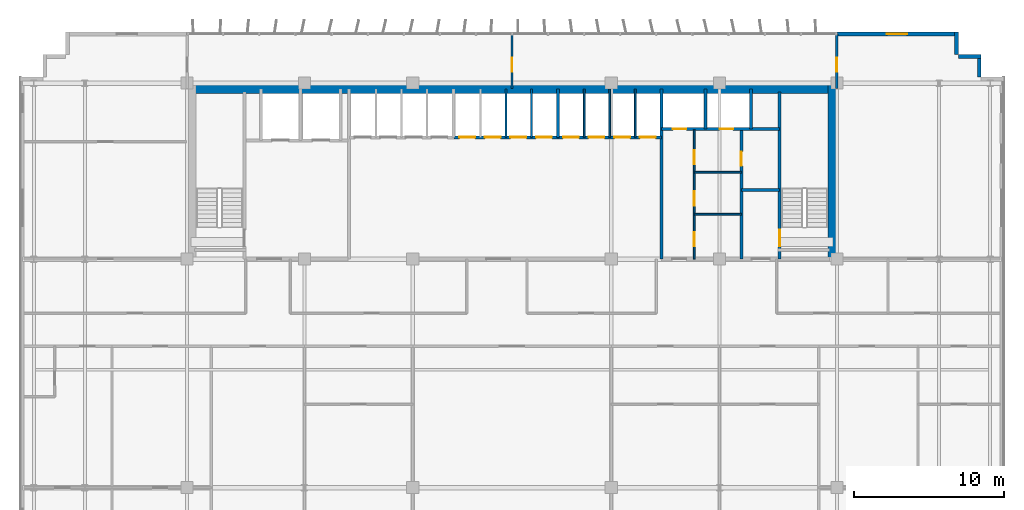
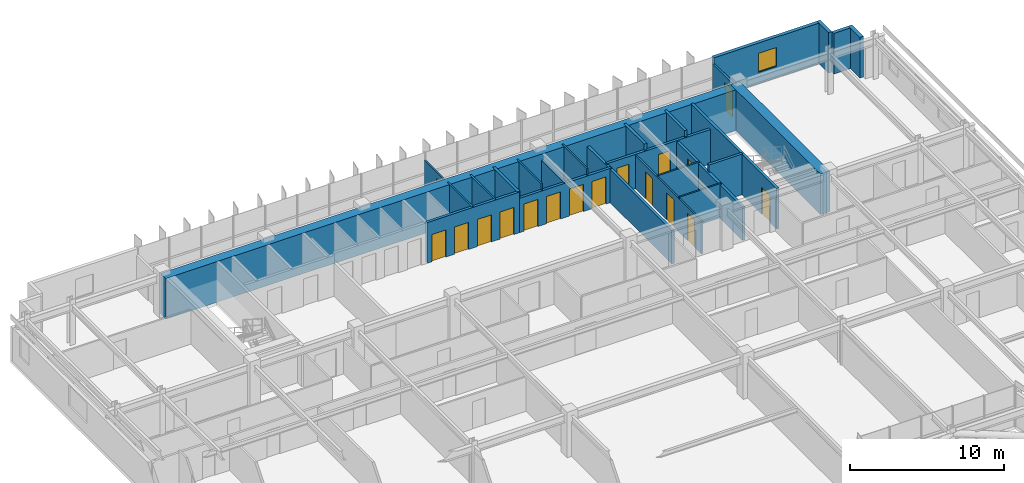
# One storey, part 22 of 26: 26 walls, 17 doors, 1 window, 18 openings.
"""IFC4 building model written with IfcOpenShell, lengths in metres."""

from ifc_helpers import new_model, si_unit, direction, frame, frame_2d, origin, place, context, subcontext, project, spatial, rectangle, extrude, source, transform, mapped, material, layer, layer_set, type_object, element, fill, save


model = new_model("IFC4")

# Units and contexts
model_context = context("Model", 3, precision=1e-05, world=origin(), true_north=direction((0.0, 1.0)))
body_context = subcontext(model_context, "Body", "Model", "MODEL_VIEW")
ifc_project = project(units=[si_unit("LENGTHUNIT", "METRE"), si_unit("AREAUNIT", "SQUARE_METRE"), si_unit("VOLUMEUNIT", "CUBIC_METRE"), si_unit("PLANEANGLEUNIT", "RADIAN"), si_unit("MASSUNIT", "GRAM", prefix="KILO")], contexts=[model_context])

# Site, building, storey
site_placement = place(None, origin())
site = spatial("IfcSite", under=ifc_project, at=site_placement, CompositionType="ELEMENT")
building_placement = place(site_placement, origin())
building = spatial("IfcBuilding", under=site, at=building_placement, Name="Trelvane Seafront Commons", CompositionType="ELEMENT")
storey_placement = place(building_placement, frame((0.0, 0.0, 128.5)))
storey = spatial("IfcBuildingStorey", under=building, at=storey_placement, Name="L33", CompositionType="ELEMENT", Elevation=128.5)

# Wall, opening, window
ifc_material_1 = material(Name="Precast concrete C40/50", Category="concrete")
ifc_layer_1 = layer(ifc_material_1, 0.260009765625, Name="ARCH-WALL-EXT260")
ifc_layer_set_1 = layer_set([ifc_layer_1], Name="Precast concrete C40/50")
wall_type_1 = type_object("IfcWallType", Name="ARCH-WALL-EXT260", PredefinedType="SOLIDWALL", material=ifc_layer_set_1)
wall_1_placement = place(storey_placement, frame((58.800048828125, 48.3701171875, 0.0), z_axis=(0.0, 0.0, 1.0), x_axis=(1.0, 0.0, 0.0)))
wall_1 = element("IfcWall", 1, at=wall_1_placement, inside=storey, type_object=wall_type_1, Name="EW-L33-NE-0630", PredefinedType="SOLIDWALL", context=body_context, shape_type="SweptSolid", body=[
    extrude(rectangle(XDim=8.0, YDim=0.260009765625, at=frame_2d((4.0, 0.0))), origin(), (0.0, 0.0, 1.0), 3.219970703125),
])
opening_1_placement = place(wall_1_placement, frame((3.324951171875, 0.0, 0.89990234375)))
opening_1 = element("IfcOpeningElement", 2, at=opening_1_placement, cuts=wall_1, Name="Opening W09", PredefinedType="OPENING", context=body_context, shape_type="SweptSolid", body=[
    extrude(rectangle(XDim=1.35009765625, YDim=1.5, at=frame_2d((0.675048828125, 0.75))), frame((0.0, 0.139892578125, 0.0), z_axis=(0.0, -1.0, 0.0), x_axis=(1.0, 0.0, 0.0)), (0.0, 0.0, 1.0), 0.280029296875),
])
ifc_material_2 = material(Name="Low-E coastal double glazing", Category="glass")
window_type = type_object("IfcWindowType", Name="ARCH-WIN-W09", PartitioningType="SINGLE_PANEL", PredefinedType="WINDOW", material=ifc_material_2)
shared_shape_1 = source(origin(), body_context, "Body", "SweptSolid", [
    extrude(rectangle(XDim=1.35009765625, YDim=1.5, at=frame_2d((0.675048828125, 0.75))), frame((0.0, 0.030029296875, 0.0), z_axis=(0.0, -1.0, 0.0), x_axis=(1.0, 0.0, 0.0)), (0.0, 0.0, 1.0), 0.06005859375),
])
window_placement = place(opening_1_placement, origin())
window = element("IfcWindow", 3, at=window_placement, inside=storey, type_object=window_type, Name="WIN-L33-00740", OverallHeight=1.5, OverallWidth=1.35009765625, PartitioningType="SINGLE_PANEL", PredefinedType="WINDOW", context=body_context, shape_type="MappedRepresentation", body=[
    mapped(shared_shape_1, transform((0.0, 0.0, 0.0), x_axis=(1.0, 0.0, 0.0), y_axis=(0.0, 1.0, 0.0), z_axis=(0.0, 0.0, 1.0), scale=1.0)),
])
fill(opening_1, window)

# Walls
for number, where, z_axis, x_axis, name in (
    (4, (66.77001953125, 48.5, 0.0), (0.0, 0.0, 1.0), (0.0, -1.0, 0.0), "EW-L33-00639"),
    (5, (66.89990234375, 46.8701171875, 0.0), (0.0, 0.0, 1.0), (1.0, 0.0, 0.0), "EW-L33-00640"),
    (6, (68.27001953125, 47.0, 0.0), (0.0, 0.0, 1.0), (0.0, -1.0, 0.0), "EW-L33-00641"),
):
    element("IfcWall", number, at=place(storey_placement, frame(where, z_axis=z_axis, x_axis=x_axis)), inside=storey, type_object=wall_type_1, Name=name, PredefinedType="SOLIDWALL", context=body_context, shape_type="SweptSolid", body=[
        extrude(rectangle(XDim=1.5, YDim=0.260009765625, at=frame_2d((0.75, 0.0))), origin(), (0.0, 0.0, 1.0), 3.219970703125),
    ])

# Wall, opening, door
ifc_material_3 = material(Name="Concrete C40/50", Category="concrete")
ifc_layer_2 = layer(ifc_material_3, 0.199951171875, Name="ARCH-WALL-FIRE200")
ifc_layer_set_2 = layer_set([ifc_layer_2], Name="Concrete C40/50")
wall_type_2 = type_object("IfcWallType", Name="ARCH-WALL-FIRE200", PredefinedType="PARTITIONING", material=ifc_layer_set_2)
wall_2_placement = place(storey_placement, frame((52.449951171875, 33.39990234375, 0.0), z_axis=(0.0, 0.0, 1.0), x_axis=(0.0, 1.0, 0.0)))
wall_2 = element("IfcWall", 7, at=wall_2_placement, inside=storey, type_object=wall_type_2, Name="W-L33-ST2V-W-033", PredefinedType="PARTITIONING", context=body_context, shape_type="SweptSolid", body=[
    extrude(rectangle(XDim=8.650146484375, YDim=0.199951171875, at=frame_2d((4.3251953125, 0.0))), origin(), (0.0, 0.0, 1.0), 2.632080078125),
])
opening_2_placement = place(wall_2_placement, frame((6.199951171875, 0.0, 0.0)))
opening_2 = element("IfcOpeningElement", 8, at=opening_2_placement, cuts=wall_2, Name="Opening FD-L33-21", PredefinedType="OPENING", context=body_context, shape_type="SweptSolid", body=[
    extrude(rectangle(XDim=0.949951171875, YDim=2.14990234375, at=frame_2d((0.47509765625, 1.074951171875))), frame((0.0, 0.10986328125, 0.0), z_axis=(0.0, -1.0, 0.0), x_axis=(1.0, 0.0, 0.0)), (0.0, 0.0, 1.0), 0.219970703125),
])
ifc_material_4 = material(Name="Powder-coated aluminium frame", Category="aluminium")
door_type_1 = type_object("IfcDoorType", Name="ARCH-DR-FD60-950", OperationType="NOTDEFINED", PredefinedType="DOOR", material=ifc_material_4)
shared_shape_2 = source(origin(), body_context, "Body", "SweptSolid", [
    extrude(rectangle(XDim=0.949951171875, YDim=2.14990234375, at=frame_2d((0.47509765625, 1.074951171875))), frame((0.0, 0.02490234375, 0.0), z_axis=(0.0, -1.0, 0.0), x_axis=(1.0, 0.0, 0.0)), (0.0, 0.0, 1.0), 0.050048828125),
])
door_1_placement = place(opening_2_placement, origin())
door_1 = element("IfcDoor", 9, at=door_1_placement, inside=storey, type_object=door_type_1, Name="L33 Cleaner Store Door", OperationType="SINGLE_SWING_LEFT", OverallHeight=2.14990234375, OverallWidth=0.949951171875, PredefinedType="DOOR", context=body_context, shape_type="MappedRepresentation", body=[
    mapped(shared_shape_2, transform((0.0, 0.0, 0.0), x_axis=(1.0, 0.0, 0.0), y_axis=(0.0, 1.0, 0.0), z_axis=(0.0, 0.0, 1.0), scale=1.0)),
])
fill(opening_2, door_1)

# Walls
wall_3_placement = place(storey_placement, frame((52.449951171875, 38.0, 0.0), z_axis=(0.0, 0.0, 1.0), x_axis=(1.0, 0.0, 0.0)))
element("IfcWall", 10, at=wall_3_placement, inside=storey, type_object=wall_type_2, Name="W-L33-ST2V-N-034", PredefinedType="PARTITIONING", context=body_context, shape_type="SweptSolid", body=[
    extrude(rectangle(XDim=2.550048828125, YDim=0.199951171875, at=frame_2d((1.27490234375, 0.0))), origin(), (0.0, 0.0, 1.0), 3.219970703125),
])
ifc_material_5 = material(Name="Gypsum Drywall Acoustic Partition")
ifc_layer_3 = layer(ifc_material_5, 0.1201171875, Name="ARCH-WALL-PART120")
ifc_layer_set_3 = layer_set([ifc_layer_3], Name="Gypsum Drywall Acoustic Partition")
wall_type_3 = type_object("IfcWallType", Name="ARCH-WALL-PART120", PredefinedType="PARTITIONING", material=ifc_layer_set_3)
for number, where, z_axis, x_axis, name in (
    (11, (36.800048828125, 41.5, 0.0), (0.0, 0.0, 1.0), (0.0, 1.0, 0.0), "W-L33-PM-DIV2-021"),
    (12, (38.5, 41.5, 0.0), (0.0, 0.0, 1.0), (0.0, 1.0, 0.0), "W-L33-PM-DIV3-022"),
    (13, (42.0, 41.5, 0.0), (0.0, 0.0, 1.0), (0.0, 1.0, 0.0), "W-L33-PH-DIV1-025"),
):
    element("IfcWall", number, at=place(storey_placement, frame(where, z_axis=z_axis, x_axis=x_axis)), inside=storey, type_object=wall_type_3, Name=name, PredefinedType="PARTITIONING", context=body_context, shape_type="SweptSolid", body=[
        extrude(rectangle(XDim=3.199951171875, YDim=0.1201171875, at=frame_2d((1.60009765625, 0.0))), origin(), (0.0, 0.0, 1.0), 3.219970703125),
    ])
wall_4_placement = place(storey_placement, frame((43.699951171875, 41.5, 0.0), z_axis=(0.0, 0.0, 1.0), x_axis=(0.0, 1.0, 0.0)))
element("IfcWall", 14, at=wall_4_placement, inside=storey, type_object=wall_type_3, Name="W-L33-PH-DIV2-026", PredefinedType="PARTITIONING", context=body_context, shape_type="SweptSolid", body=[
    extrude(rectangle(XDim=3.199951171875, YDim=0.1201171875, at=frame_2d((1.60009765625, 0.0))), origin(), (0.0, 0.0, 1.0), 2.719970703125),
])
wall_5_placement = place(storey_placement, frame((45.39990234375, 41.5, 0.0), z_axis=(0.0, 0.0, 1.0), x_axis=(0.0, 1.0, 0.0)))
element("IfcWall", 15, at=wall_5_placement, inside=storey, type_object=wall_type_3, Name="W-L33-PH-DIV3-027", PredefinedType="PARTITIONING", context=body_context, shape_type="SweptSolid", body=[
    extrude(rectangle(XDim=3.199951171875, YDim=0.1201171875, at=frame_2d((1.60009765625, 0.0))), origin(), (0.0, 0.0, 1.0), 3.219970703125),
])

# Wall, openings, doors
wall_6_placement = place(storey_placement, frame((49.320068359375, 33.39990234375, 0.0), z_axis=(0.0, 0.0, 1.0), x_axis=(0.0, 1.0, 0.0)))
wall_6 = element("IfcWall", 16, at=wall_6_placement, inside=storey, type_object=wall_type_3, Name="W-L33-CYC3-V-035", PredefinedType="PARTITIONING", context=body_context, shape_type="SweptSolid", body=[
    extrude(rectangle(XDim=8.60009765625, YDim=0.1201171875, at=frame_2d((4.300048828125, 0.0))), origin(), (0.0, 0.0, 1.0), 2.632080078125),
])
opening_3_placement = place(wall_6_placement, frame((0.85009765625, 0.0, 0.0)))
opening_3 = element("IfcOpeningElement", 17, at=opening_3_placement, cuts=wall_6, Name="Opening D-L33-22", PredefinedType="OPENING", context=body_context, shape_type="SweptSolid", body=[
    extrude(rectangle(XDim=0.949951171875, YDim=2.14990234375, at=frame_2d((0.47509765625, 1.074951171875))), frame((0.0, 0.070068359375, 0.0), z_axis=(0.0, -1.0, 0.0), x_axis=(1.0, 0.0, 0.0)), (0.0, 0.0, 1.0), 0.14013671875),
])
opening_4_placement = place(wall_6_placement, frame((3.550048828125, 0.0, 0.0)))
opening_4 = element("IfcOpeningElement", 18, at=opening_4_placement, cuts=wall_6, Name="Opening D-L33-23", PredefinedType="OPENING", context=body_context, shape_type="SweptSolid", body=[
    extrude(rectangle(XDim=0.949951171875, YDim=2.14990234375, at=frame_2d((0.47509765625, 1.074951171875))), frame((0.0, 0.070068359375, 0.0), z_axis=(0.0, -1.0, 0.0), x_axis=(1.0, 0.0, 0.0)), (0.0, 0.0, 1.0), 0.14013671875),
])
opening_5_placement = place(wall_6_placement, frame((6.300048828125, 0.0, 0.0)))
opening_5 = element("IfcOpeningElement", 19, at=opening_5_placement, cuts=wall_6, Name="Opening D-L33-24", PredefinedType="OPENING", context=body_context, shape_type="SweptSolid", body=[
    extrude(rectangle(XDim=0.949951171875, YDim=2.14990234375, at=frame_2d((0.47509765625, 1.074951171875))), frame((0.0, 0.070068359375, 0.0), z_axis=(0.0, -1.0, 0.0), x_axis=(1.0, 0.0, 0.0)), (0.0, 0.0, 1.0), 0.14013671875),
])
ifc_material_6 = material(Name="Acoustic timber door leaf", Category="wood")
door_type_2 = type_object("IfcDoorType", Name="ARCH-DR-INT950", OperationType="NOTDEFINED", PredefinedType="DOOR", material=ifc_material_6)
door_2_placement = place(opening_3_placement, origin())
door_2 = element("IfcDoor", 20, at=door_2_placement, inside=storey, type_object=door_type_2, Name="L33 Accessible WC Door", OperationType="SINGLE_SWING_RIGHT", OverallHeight=2.14990234375, OverallWidth=0.949951171875, PredefinedType="DOOR", context=body_context, shape_type="MappedRepresentation", body=[
    mapped(shared_shape_2, transform((0.0, 0.0, 0.0), x_axis=(1.0, 0.0, 0.0), y_axis=(0.0, 1.0, 0.0), z_axis=(0.0, 0.0, 1.0), scale=1.0)),
])
fill(opening_3, door_2)
door_3_placement = place(opening_4_placement, origin())
door_3 = element("IfcDoor", 21, at=door_3_placement, inside=storey, type_object=door_type_2, Name="L33 Staff WC Door", OperationType="SINGLE_SWING_LEFT", OverallHeight=2.14990234375, OverallWidth=0.949951171875, PredefinedType="DOOR", context=body_context, shape_type="MappedRepresentation", body=[
    mapped(shared_shape_2, transform((0.0, 0.0, 0.0), x_axis=(1.0, 0.0, 0.0), y_axis=(0.0, 1.0, 0.0), z_axis=(0.0, 0.0, 1.0), scale=1.0)),
])
fill(opening_4, door_3)
door_4_placement = place(opening_5_placement, origin())
door_4 = element("IfcDoor", 22, at=door_4_placement, inside=storey, type_object=door_type_2, Name="L33 Electrical Room Door", OperationType="SINGLE_SWING_RIGHT", OverallHeight=2.14990234375, OverallWidth=0.949951171875, PredefinedType="DOOR", context=body_context, shape_type="MappedRepresentation", body=[
    mapped(shared_shape_2, transform((0.0, 0.0, 0.0), x_axis=(1.0, 0.0, 0.0), y_axis=(0.0, 1.0, 0.0), z_axis=(0.0, 0.0, 1.0), scale=1.0)),
])
fill(opening_5, door_4)

# Walls
for number, where, z_axis, x_axis, name in (
    (23, (49.320068359375, 36.3798828125, 0.0), (0.0, 0.0, 1.0), (1.0, 0.0, 0.0), "W-L33-CYC3-H1-036"),
    (24, (49.320068359375, 39.179931640625, 0.0), (0.0, 0.0, 1.0), (1.0, 0.0, 0.0), "W-L33-CYC3-H2-037"),
):
    element("IfcWall", number, at=place(storey_placement, frame(where, z_axis=z_axis, x_axis=x_axis)), inside=storey, type_object=wall_type_3, Name=name, PredefinedType="PARTITIONING", context=body_context, shape_type="SweptSolid", body=[
        extrude(rectangle(XDim=3.1298828125, YDim=0.1201171875, at=frame_2d((1.56494140625, 0.0))), origin(), (0.0, 0.0, 1.0), 2.719970703125),
    ])

# Wall, opening, door
wall_7_placement = place(storey_placement, frame((37.199951171875, 44.75, 0.0), z_axis=(0.0, 0.0, 1.0), x_axis=(0.0, 1.0, 0.0)))
wall_7 = element("IfcWall", 25, at=wall_7_placement, inside=storey, type_object=wall_type_3, Name="W-L33-N-MID-DV-053", PredefinedType="PARTITIONING", context=body_context, shape_type="SweptSolid", body=[
    extrude(rectangle(XDim=3.610107421875, YDim=0.1201171875, at=frame_2d((1.80517578125, 0.0))), origin(), (0.0, 0.0, 1.0), 2.632080078125),
])
opening_6_placement = place(wall_7_placement, frame((1.10009765625, 0.0, 0.0)))
opening_6 = element("IfcOpeningElement", 26, at=opening_6_placement, cuts=wall_7, Name="Opening D-L33-35", PredefinedType="OPENING", context=body_context, shape_type="SweptSolid", body=[
    extrude(rectangle(XDim=0.949951171875, YDim=2.14990234375, at=frame_2d((0.47509765625, 1.074951171875))), frame((0.0, 0.070068359375, 0.0), z_axis=(0.0, -1.0, 0.0), x_axis=(1.0, 0.0, 0.0)), (0.0, 0.0, 1.0), 0.14013671875),
])
door_5_placement = place(opening_6_placement, origin())
door_5 = element("IfcDoor", 27, at=door_5_placement, inside=storey, type_object=door_type_2, Name="L33 Door 35", OperationType="SINGLE_SWING_LEFT", OverallHeight=2.14990234375, OverallWidth=0.949951171875, PredefinedType="DOOR", context=body_context, shape_type="MappedRepresentation", body=[
    mapped(shared_shape_2, transform((0.0, 0.0, 0.0), x_axis=(1.0, 0.0, 0.0), y_axis=(0.0, 1.0, 0.0), z_axis=(0.0, 0.0, 1.0), scale=1.0)),
])
fill(opening_6, door_5)

ifc_layer_4 = layer(ifc_material_5, 0.14990234375, Name="ARCH-WALL-PART150")
ifc_layer_set_4 = layer_set([ifc_layer_4], Name="Gypsum Drywall Acoustic Partition")
wall_type_4 = type_object("IfcWallType", Name="ARCH-WALL-PART150", PredefinedType="PARTITIONING", material=ifc_layer_set_4)
wall_8_placement = place(storey_placement, frame((58.800048828125, 44.75, 0.0), z_axis=(0.0, 0.0, 1.0), x_axis=(0.0, 1.0, 0.0)))
wall_8 = element("IfcWall", 28, at=wall_8_placement, inside=storey, type_object=wall_type_4, Name="W-L33-N-LINK-E-055", PredefinedType="PARTITIONING", context=body_context, shape_type="SweptSolid", body=[
    extrude(rectangle(XDim=3.610107421875, YDim=0.14990234375, at=frame_2d((1.80517578125, 0.0))), origin(), (0.0, 0.0, 1.0), 2.719970703125),
])
opening_7_placement = place(wall_8_placement, frame((1.10009765625, 0.0, 0.0)))
opening_7 = element("IfcOpeningElement", 29, at=opening_7_placement, cuts=wall_8, Name="Opening FD-L33-37", PredefinedType="OPENING", context=body_context, shape_type="SweptSolid", body=[
    extrude(rectangle(XDim=0.949951171875, YDim=2.14990234375, at=frame_2d((0.47509765625, 1.074951171875))), frame((0.0, 0.0849609375, 0.0), z_axis=(0.0, -1.0, 0.0), x_axis=(1.0, 0.0, 0.0)), (0.0, 0.0, 1.0), 0.169921875),
])
door_6_placement = place(opening_7_placement, origin())
door_6 = element("IfcDoor", 30, at=door_6_placement, inside=storey, type_object=door_type_1, Name="L33 Door 37", OperationType="SINGLE_SWING_LEFT", OverallHeight=2.14990234375, OverallWidth=0.949951171875, PredefinedType="DOOR", context=body_context, shape_type="MappedRepresentation", body=[
    mapped(shared_shape_2, transform((0.0, 0.0, 0.0), x_axis=(1.0, 0.0, 0.0), y_axis=(0.0, 1.0, 0.0), z_axis=(0.0, 0.0, 1.0), scale=1.0)),
])
fill(opening_7, door_6)

# Wall, openings, doors
ifc_layer_5 = layer(ifc_material_3, 0.199951171875, Name="ARCH-WALL-SHAFT200")
ifc_layer_set_5 = layer_set([ifc_layer_5], Name="Concrete C40/50")
wall_type_5 = type_object("IfcWallType", Name="ARCH-WALL-SHAFT200", PredefinedType="SOLIDWALL", material=ifc_layer_set_5)
wall_9_placement = place(storey_placement, frame((33.35009765625, 41.5, 0.0), z_axis=(0.0, 0.0, 1.0), x_axis=(1.0, 0.0, 0.0)))
wall_9 = element("IfcWall", 31, at=wall_9_placement, inside=storey, type_object=wall_type_5, Name="W-L33-PM-FRONT-019", PredefinedType="SOLIDWALL", context=body_context, shape_type="SweptSolid", body=[
    extrude(rectangle(XDim=6.89990234375, YDim=0.199951171875, at=frame_2d((3.449951171875, 0.0))), origin(), (0.0, 0.0, 1.0), 3.219970703125),
])
opening_8_placement = place(wall_9_placement, frame((0.35009765625, 0.0, 0.0)))
opening_8 = element("IfcOpeningElement", 32, at=opening_8_placement, cuts=wall_9, Name="Opening LD-PM1-L33", PredefinedType="OPENING", context=body_context, shape_type="SweptSolid", body=[
    extrude(rectangle(XDim=1.050048828125, YDim=2.14990234375, at=frame_2d((0.52490234375, 1.074951171875))), frame((0.0, 0.10986328125, 0.0), z_axis=(0.0, -1.0, 0.0), x_axis=(1.0, 0.0, 0.0)), (0.0, 0.0, 1.0), 0.219970703125),
])
opening_9_placement = place(wall_9_placement, frame((2.050048828125, 0.0, 0.0)))
opening_9 = element("IfcOpeningElement", 33, at=opening_9_placement, cuts=wall_9, Name="Opening LD-PM2-L33", PredefinedType="OPENING", context=body_context, shape_type="SweptSolid", body=[
    extrude(rectangle(XDim=1.050048828125, YDim=2.14990234375, at=frame_2d((0.52490234375, 1.074951171875))), frame((0.0, 0.10986328125, 0.0), z_axis=(0.0, -1.0, 0.0), x_axis=(1.0, 0.0, 0.0)), (0.0, 0.0, 1.0), 0.219970703125),
])
opening_10_placement = place(wall_9_placement, frame((3.75, 0.0, 0.0)))
opening_10 = element("IfcOpeningElement", 34, at=opening_10_placement, cuts=wall_9, Name="Opening LD-PM3-L33", PredefinedType="OPENING", context=body_context, shape_type="SweptSolid", body=[
    extrude(rectangle(XDim=1.050048828125, YDim=2.14990234375, at=frame_2d((0.52490234375, 1.074951171875))), frame((0.0, 0.10986328125, 0.0), z_axis=(0.0, -1.0, 0.0), x_axis=(1.0, 0.0, 0.0)), (0.0, 0.0, 1.0), 0.219970703125),
])
opening_11_placement = place(wall_9_placement, frame((5.449951171875, 0.0, 0.0)))
opening_11 = element("IfcOpeningElement", 35, at=opening_11_placement, cuts=wall_9, Name="Opening LD-PM4-L33", PredefinedType="OPENING", context=body_context, shape_type="SweptSolid", body=[
    extrude(rectangle(XDim=1.050048828125, YDim=2.14990234375, at=frame_2d((0.52490234375, 1.074951171875))), frame((0.0, 0.10986328125, 0.0), z_axis=(0.0, -1.0, 0.0), x_axis=(1.0, 0.0, 0.0)), (0.0, 0.0, 1.0), 0.219970703125),
])
ifc_material_7 = material(Name="Stainless steel balustrade", Category="steel")
door_type_3 = type_object("IfcDoorType", Name="ARCH-DR-LD1050", OperationType="DOUBLE_DOOR_SLIDING", PredefinedType="DOOR", material=ifc_material_7)
shared_shape_3 = source(origin(), body_context, "Body", "SweptSolid", [
    extrude(rectangle(XDim=1.050048828125, YDim=2.14990234375, at=frame_2d((0.52490234375, 1.074951171875))), frame((0.0, 0.02490234375, 0.0), z_axis=(0.0, -1.0, 0.0), x_axis=(1.0, 0.0, 0.0)), (0.0, 0.0, 1.0), 0.050048828125),
])
door_7_placement = place(opening_8_placement, origin())
door_7 = element("IfcDoor", 36, at=door_7_placement, inside=storey, type_object=door_type_3, Name="L33 Passenger Lift PM-1 Landing Door", OperationType="DOUBLE_DOOR_SLIDING", OverallHeight=2.14990234375, OverallWidth=1.050048828125, PredefinedType="DOOR", context=body_context, shape_type="MappedRepresentation", body=[
    mapped(shared_shape_3, transform((0.0, 0.0, 0.0), x_axis=(1.0, 0.0, 0.0), y_axis=(0.0, 1.0, 0.0), z_axis=(0.0, 0.0, 1.0), scale=1.0)),
])
fill(opening_8, door_7)
door_8_placement = place(opening_9_placement, origin())
door_8 = element("IfcDoor", 37, at=door_8_placement, inside=storey, type_object=door_type_3, Name="L33 Passenger Lift PM-2 Landing Door", OperationType="DOUBLE_DOOR_SLIDING", OverallHeight=2.14990234375, OverallWidth=1.050048828125, PredefinedType="DOOR", context=body_context, shape_type="MappedRepresentation", body=[
    mapped(shared_shape_3, transform((0.0, 0.0, 0.0), x_axis=(1.0, 0.0, 0.0), y_axis=(0.0, 1.0, 0.0), z_axis=(0.0, 0.0, 1.0), scale=1.0)),
])
fill(opening_9, door_8)
door_9_placement = place(opening_10_placement, origin())
door_9 = element("IfcDoor", 38, at=door_9_placement, inside=storey, type_object=door_type_3, Name="L33 Passenger Lift PM-3 Landing Door", OperationType="DOUBLE_DOOR_SLIDING", OverallHeight=2.14990234375, OverallWidth=1.050048828125, PredefinedType="DOOR", context=body_context, shape_type="MappedRepresentation", body=[
    mapped(shared_shape_3, transform((0.0, 0.0, 0.0), x_axis=(1.0, 0.0, 0.0), y_axis=(0.0, 1.0, 0.0), z_axis=(0.0, 0.0, 1.0), scale=1.0)),
])
fill(opening_10, door_9)
door_10_placement = place(opening_11_placement, origin())
door_10 = element("IfcDoor", 39, at=door_10_placement, inside=storey, type_object=door_type_3, Name="L33 Passenger Lift PM-4 Landing Door", OperationType="DOUBLE_DOOR_SLIDING", OverallHeight=2.14990234375, OverallWidth=1.050048828125, PredefinedType="DOOR", context=body_context, shape_type="MappedRepresentation", body=[
    mapped(shared_shape_3, transform((0.0, 0.0, 0.0), x_axis=(1.0, 0.0, 0.0), y_axis=(0.0, 1.0, 0.0), z_axis=(0.0, 0.0, 1.0), scale=1.0)),
])
fill(opening_11, door_10)

wall_10_placement = place(storey_placement, frame((40.25, 41.5, 0.0), z_axis=(0.0, 0.0, 1.0), x_axis=(1.0, 0.0, 0.0)))
wall_10 = element("IfcWall", 40, at=wall_10_placement, inside=storey, type_object=wall_type_5, Name="W-L33-PH-FRONT-023", PredefinedType="SOLIDWALL", context=body_context, shape_type="SweptSolid", body=[
    extrude(rectangle(XDim=6.89990234375, YDim=0.199951171875, at=frame_2d((3.449951171875, 0.0))), origin(), (0.0, 0.0, 1.0), 2.719970703125),
])
opening_12_placement = place(wall_10_placement, frame((0.35009765625, 0.0, 0.0)))
opening_12 = element("IfcOpeningElement", 41, at=opening_12_placement, cuts=wall_10, Name="Opening LD-PH1-L33", PredefinedType="OPENING", context=body_context, shape_type="SweptSolid", body=[
    extrude(rectangle(XDim=1.050048828125, YDim=2.14990234375, at=frame_2d((0.52490234375, 1.074951171875))), frame((0.0, 0.10986328125, 0.0), z_axis=(0.0, -1.0, 0.0), x_axis=(1.0, 0.0, 0.0)), (0.0, 0.0, 1.0), 0.219970703125),
])
opening_13_placement = place(wall_10_placement, frame((2.050048828125, 0.0, 0.0)))
opening_13 = element("IfcOpeningElement", 42, at=opening_13_placement, cuts=wall_10, Name="Opening LD-PH2-L33", PredefinedType="OPENING", context=body_context, shape_type="SweptSolid", body=[
    extrude(rectangle(XDim=1.050048828125, YDim=2.14990234375, at=frame_2d((0.52490234375, 1.074951171875))), frame((0.0, 0.10986328125, 0.0), z_axis=(0.0, -1.0, 0.0), x_axis=(1.0, 0.0, 0.0)), (0.0, 0.0, 1.0), 0.219970703125),
])
opening_14_placement = place(wall_10_placement, frame((3.75, 0.0, 0.0)))
opening_14 = element("IfcOpeningElement", 43, at=opening_14_placement, cuts=wall_10, Name="Opening LD-PH3-L33", PredefinedType="OPENING", context=body_context, shape_type="SweptSolid", body=[
    extrude(rectangle(XDim=1.050048828125, YDim=2.14990234375, at=frame_2d((0.52490234375, 1.074951171875))), frame((0.0, 0.10986328125, 0.0), z_axis=(0.0, -1.0, 0.0), x_axis=(1.0, 0.0, 0.0)), (0.0, 0.0, 1.0), 0.219970703125),
])
opening_15_placement = place(wall_10_placement, frame((5.449951171875, 0.0, 0.0)))
opening_15 = element("IfcOpeningElement", 44, at=opening_15_placement, cuts=wall_10, Name="Opening LD-PH4-L33", PredefinedType="OPENING", context=body_context, shape_type="SweptSolid", body=[
    extrude(rectangle(XDim=1.050048828125, YDim=2.14990234375, at=frame_2d((0.52490234375, 1.074951171875))), frame((0.0, 0.10986328125, 0.0), z_axis=(0.0, -1.0, 0.0), x_axis=(1.0, 0.0, 0.0)), (0.0, 0.0, 1.0), 0.219970703125),
])
door_11_placement = place(opening_12_placement, origin())
door_11 = element("IfcDoor", 45, at=door_11_placement, inside=storey, type_object=door_type_3, Name="L33 Passenger Lift PH-1 Landing Door", OperationType="DOUBLE_DOOR_SLIDING", OverallHeight=2.14990234375, OverallWidth=1.050048828125, PredefinedType="DOOR", context=body_context, shape_type="MappedRepresentation", body=[
    mapped(shared_shape_3, transform((0.0, 0.0, 0.0), x_axis=(1.0, 0.0, 0.0), y_axis=(0.0, 1.0, 0.0), z_axis=(0.0, 0.0, 1.0), scale=1.0)),
])
fill(opening_12, door_11)
door_12_placement = place(opening_13_placement, origin())
door_12 = element("IfcDoor", 46, at=door_12_placement, inside=storey, type_object=door_type_3, Name="L33 Passenger Lift PH-2 Landing Door", OperationType="DOUBLE_DOOR_SLIDING", OverallHeight=2.14990234375, OverallWidth=1.050048828125, PredefinedType="DOOR", context=body_context, shape_type="MappedRepresentation", body=[
    mapped(shared_shape_3, transform((0.0, 0.0, 0.0), x_axis=(1.0, 0.0, 0.0), y_axis=(0.0, 1.0, 0.0), z_axis=(0.0, 0.0, 1.0), scale=1.0)),
])
fill(opening_13, door_12)
door_13_placement = place(opening_14_placement, origin())
door_13 = element("IfcDoor", 47, at=door_13_placement, inside=storey, type_object=door_type_3, Name="L33 Passenger Lift PH-3 Landing Door", OperationType="DOUBLE_DOOR_SLIDING", OverallHeight=2.14990234375, OverallWidth=1.050048828125, PredefinedType="DOOR", context=body_context, shape_type="MappedRepresentation", body=[
    mapped(shared_shape_3, transform((0.0, 0.0, 0.0), x_axis=(1.0, 0.0, 0.0), y_axis=(0.0, 1.0, 0.0), z_axis=(0.0, 0.0, 1.0), scale=1.0)),
])
fill(opening_14, door_13)
door_14_placement = place(opening_15_placement, origin())
door_14 = element("IfcDoor", 48, at=door_14_placement, inside=storey, type_object=door_type_3, Name="L33 Passenger Lift PH-4 Landing Door", OperationType="DOUBLE_DOOR_SLIDING", OverallHeight=2.14990234375, OverallWidth=1.050048828125, PredefinedType="DOOR", context=body_context, shape_type="MappedRepresentation", body=[
    mapped(shared_shape_3, transform((0.0, 0.0, 0.0), x_axis=(1.0, 0.0, 0.0), y_axis=(0.0, 1.0, 0.0), z_axis=(0.0, 0.0, 1.0), scale=1.0)),
])
fill(opening_15, door_14)

# Walls
wall_11_placement = place(storey_placement, frame((40.25, 41.5, 0.0), z_axis=(0.0, 0.0, 1.0), x_axis=(0.0, 1.0, 0.0)))
element("IfcWall", 49, at=wall_11_placement, inside=storey, type_object=wall_type_5, Name="W-L33-PH-WEST-SH-024", PredefinedType="SOLIDWALL", context=body_context, shape_type="SweptSolid", body=[
    extrude(rectangle(XDim=3.199951171875, YDim=0.199951171875, at=frame_2d((1.60009765625, 0.0))), origin(), (0.0, 0.0, 1.0), 3.219970703125),
])
wall_12_placement = place(storey_placement, frame((47.14990234375, 33.39990234375, 0.0), z_axis=(0.0, 0.0, 1.0), x_axis=(0.0, 1.0, 0.0)))
element("IfcWall", 50, at=wall_12_placement, inside=storey, type_object=wall_type_5, Name="W-L33-PH-EAST-028", PredefinedType="SOLIDWALL", context=body_context, shape_type="SweptSolid", body=[
    extrude(rectangle(XDim=11.300048828125, YDim=0.199951171875, at=frame_2d((5.64990234375, 0.0))), origin(), (0.0, 0.0, 1.0), 2.632080078125),
])

# Wall, openings, doors
wall_13_placement = place(storey_placement, frame((47.14990234375, 42.050048828125, 0.0), z_axis=(0.0, 0.0, 1.0), x_axis=(1.0, 0.0, 0.0)))
wall_13 = element("IfcWall", 51, at=wall_13_placement, inside=storey, type_object=wall_type_5, Name="W-L33-RSR-S-030", PredefinedType="SOLIDWALL", context=body_context, shape_type="SweptSolid", body=[
    extrude(rectangle(XDim=7.85009765625, YDim=0.199951171875, at=frame_2d((3.925048828125, 0.0))), origin(), (0.0, 0.0, 1.0), 2.719970703125),
])
opening_16_placement = place(wall_13_placement, frame((0.75, 0.0, 0.0)))
opening_16 = element("IfcOpeningElement", 52, at=opening_16_placement, cuts=wall_13, Name="Opening FD-L33-19", PredefinedType="OPENING", context=body_context, shape_type="SweptSolid", body=[
    extrude(rectangle(XDim=0.89990234375, YDim=2.10009765625, at=frame_2d((0.449951171875, 1.050048828125))), frame((0.0, 0.10986328125, 0.0), z_axis=(0.0, -1.0, 0.0), x_axis=(1.0, 0.0, 0.0)), (0.0, 0.0, 1.0), 0.219970703125),
])
opening_17_placement = place(wall_13_placement, frame((3.85009765625, 0.0, 0.0)))
opening_17 = element("IfcOpeningElement", 53, at=opening_17_placement, cuts=wall_13, Name="Opening FD-L33-20", PredefinedType="OPENING", context=body_context, shape_type="SweptSolid", body=[
    extrude(rectangle(XDim=0.89990234375, YDim=2.10009765625, at=frame_2d((0.449951171875, 1.050048828125))), frame((0.0, 0.10986328125, 0.0), z_axis=(0.0, -1.0, 0.0), x_axis=(1.0, 0.0, 0.0)), (0.0, 0.0, 1.0), 0.219970703125),
])
door_type_4 = type_object("IfcDoorType", Name="ARCH-DR-FD60-900", OperationType="NOTDEFINED", PredefinedType="DOOR", material=ifc_material_4)
shared_shape_4 = source(origin(), body_context, "Body", "SweptSolid", [
    extrude(rectangle(XDim=0.89990234375, YDim=2.10009765625, at=frame_2d((0.449951171875, 1.050048828125))), frame((0.0, 0.02490234375, 0.0), z_axis=(0.0, -1.0, 0.0), x_axis=(1.0, 0.0, 0.0)), (0.0, 0.0, 1.0), 0.050048828125),
])
door_15_placement = place(opening_16_placement, origin())
door_15 = element("IfcDoor", 54, at=door_15_placement, inside=storey, type_object=door_type_4, Name="L33 Electrical Riser Access Door", OperationType="SINGLE_SWING_LEFT", OverallHeight=2.10009765625, OverallWidth=0.89990234375, PredefinedType="DOOR", context=body_context, shape_type="MappedRepresentation", body=[
    mapped(shared_shape_4, transform((0.0, 0.0, 0.0), x_axis=(1.0, 0.0, 0.0), y_axis=(0.0, 1.0, 0.0), z_axis=(0.0, 0.0, 1.0), scale=1.0)),
])
fill(opening_16, door_15)
door_16_placement = place(opening_17_placement, origin())
door_16 = element("IfcDoor", 55, at=door_16_placement, inside=storey, type_object=door_type_4, Name="L33 Mechanical Riser Access Door", OperationType="SINGLE_SWING_RIGHT", OverallHeight=2.10009765625, OverallWidth=0.89990234375, PredefinedType="DOOR", context=body_context, shape_type="MappedRepresentation", body=[
    mapped(shared_shape_4, transform((0.0, 0.0, 0.0), x_axis=(1.0, 0.0, 0.0), y_axis=(0.0, 1.0, 0.0), z_axis=(0.0, 0.0, 1.0), scale=1.0)),
])
fill(opening_17, door_16)

# Walls
for number, where, z_axis, x_axis, name in (
    (56, (50.080078125, 42.050048828125, 0.0), (0.0, 0.0, 1.0), (0.0, 1.0, 0.0), "W-L33-RSR-DIV-031"),
    (57, (53.10009765625, 42.050048828125, 0.0), (0.0, 0.0, 1.0), (0.0, 1.0, 0.0), "W-L33-RSR-E-032"),
):
    element("IfcWall", number, at=place(storey_placement, frame(where, z_axis=z_axis, x_axis=x_axis)), inside=storey, type_object=wall_type_5, Name=name, PredefinedType="SOLIDWALL", context=body_context, shape_type="SweptSolid", body=[
        extrude(rectangle(XDim=2.64990234375, YDim=0.199951171875, at=frame_2d((1.324951171875, 0.0))), origin(), (0.0, 0.0, 1.0), 3.219970703125),
    ])
ifc_material_8 = material(Name="Concrete C60/75", Category="concrete")
ifc_layer_6 = layer(ifc_material_8, 0.699951171875, Name="STR-WALL-CORE700")
ifc_layer_set_6 = layer_set([ifc_layer_6], Name="Concrete C60/75")
wall_type_6 = type_object("IfcWallType", Name="STR-WALL-CORE700", PredefinedType="SHEAR", material=ifc_layer_set_6)
wall_14_placement = place(storey_placement, frame((15.5, 44.75, 0.0), z_axis=(0.0, 0.0, 1.0), x_axis=(1.0, 0.0, 0.0)))
element("IfcWall", 58, at=wall_14_placement, inside=storey, type_object=wall_type_6, Name="W-L33-CN-ALL-001", PredefinedType="SHEAR", context=body_context, shape_type="SweptSolid", body=[
    extrude(rectangle(XDim=43.39990234375, YDim=0.699951171875, at=frame_2d((21.699951171875, 0.0))), origin(), (0.0, 0.0, 1.0), 3.219970703125),
])
wall_15_placement = place(storey_placement, frame((58.550048828125, 33.39990234375, 0.0), z_axis=(0.0, 0.0, 1.0), x_axis=(0.0, 1.0, 0.0)))
element("IfcWall", 59, at=wall_15_placement, inside=storey, type_object=wall_type_6, Name="W-L33-CE-END-003", PredefinedType="SHEAR", context=body_context, shape_type="SweptSolid", body=[
    extrude(rectangle(XDim=11.7001953125, YDim=0.699951171875, at=frame_2d((5.85009765625, 0.0))), origin(), (0.0, 0.0, 1.0), 3.219970703125),
])

# Wall, opening, door
ifc_material_9 = material(Name="Concrete C50/60", Category="concrete")
ifc_layer_7 = layer(ifc_material_9, 0.199951171875, Name="STR-WALL-STAIR200")
ifc_layer_set_7 = layer_set([ifc_layer_7], Name="Concrete C50/60")
wall_type_7 = type_object("IfcWallType", Name="STR-WALL-STAIR200", PredefinedType="SHEAR", material=ifc_layer_set_7)
wall_16_placement = place(storey_placement, frame((55.0, 33.39990234375, 0.0), z_axis=(0.0, 0.0, 1.0), x_axis=(0.0, 1.0, 0.0)))
wall_16 = element("IfcWall", 60, at=wall_16_placement, inside=storey, type_object=wall_type_7, Name="W-L33-ST2-W-007", PredefinedType="SHEAR", context=body_context, shape_type="SweptSolid", body=[
    extrude(rectangle(XDim=11.10009765625, YDim=0.199951171875, at=frame_2d((5.550048828125, 0.0))), origin(), (0.0, 0.0, 1.0), 3.219970703125),
])
opening_18_placement = place(wall_16_placement, frame((0.85009765625, 0.0, 0.0)))
opening_18 = element("IfcOpeningElement", 61, at=opening_18_placement, cuts=wall_16, Name="Opening ST-D2-L33", PredefinedType="OPENING", context=body_context, shape_type="SweptSolid", body=[
    extrude(rectangle(XDim=1.10009765625, YDim=2.14990234375, at=frame_2d((0.550048828125, 1.074951171875))), frame((0.0, 0.10986328125, 0.0), z_axis=(0.0, -1.0, 0.0), x_axis=(1.0, 0.0, 0.0)), (0.0, 0.0, 1.0), 0.219970703125),
])
door_type_5 = type_object("IfcDoorType", Name="ARCH-DR-FD90-1100", OperationType="NOTDEFINED", PredefinedType="DOOR", material=ifc_material_4)
shared_shape_5 = source(origin(), body_context, "Body", "SweptSolid", [
    extrude(rectangle(XDim=1.10009765625, YDim=2.14990234375, at=frame_2d((0.550048828125, 1.074951171875))), frame((0.0, 0.02490234375, 0.0), z_axis=(0.0, -1.0, 0.0), x_axis=(1.0, 0.0, 0.0)), (0.0, 0.0, 1.0), 0.050048828125),
])
door_17_placement = place(opening_18_placement, origin())
door_17 = element("IfcDoor", 62, at=door_17_placement, inside=storey, type_object=door_type_5, Name="L33 Stair ST-2 Vestibule Fire Door", OperationType="SINGLE_SWING_RIGHT", OverallHeight=2.14990234375, OverallWidth=1.10009765625, PredefinedType="DOOR", context=body_context, shape_type="MappedRepresentation", body=[
    mapped(shared_shape_5, transform((0.0, 0.0, 0.0), x_axis=(1.0, 0.0, 0.0), y_axis=(0.0, 1.0, 0.0), z_axis=(0.0, 0.0, 1.0), scale=1.0)),
])
fill(opening_18, door_17)

save(model, "model.ifc")
